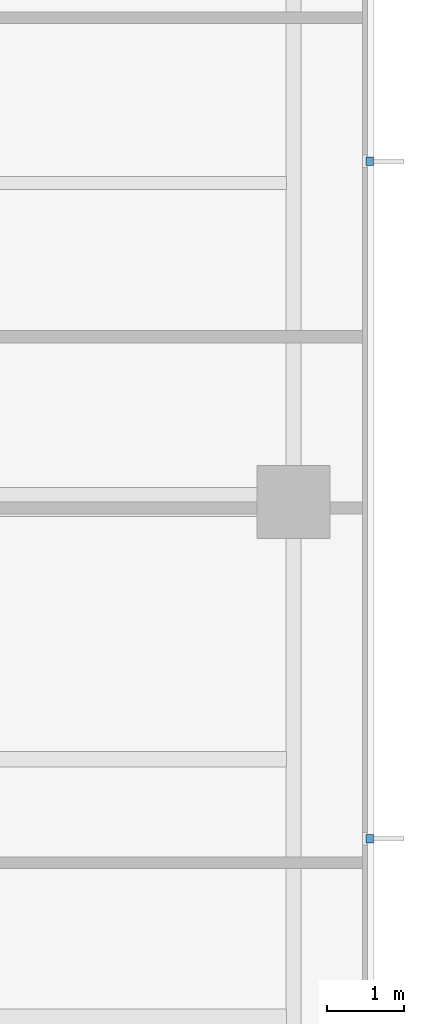
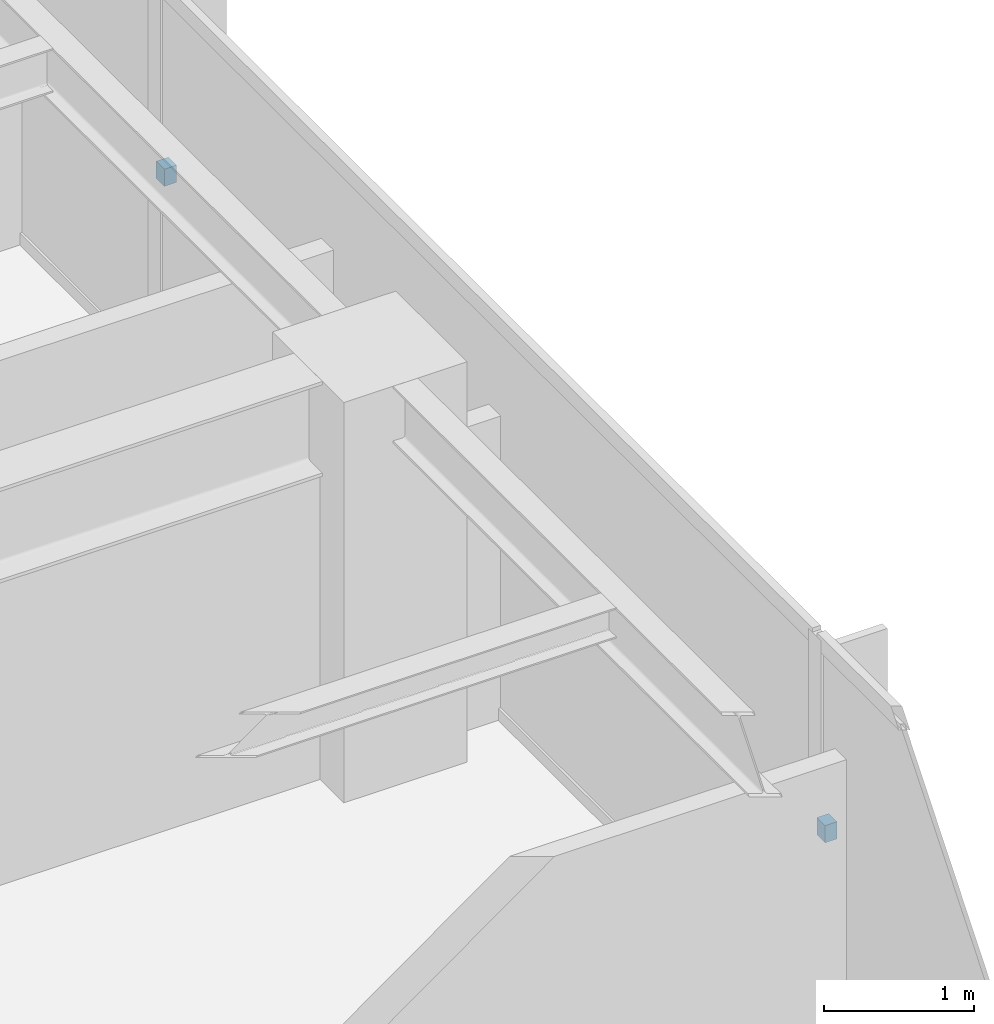
# One storey, part 12 of 15: 2 discrete accessories.
"""IFC4 building model written with IfcOpenShell, lengths in metres."""

from ifc_helpers import new_model, si_unit, direction, frame, origin, place, context, subcontext, project, spatial, polyline, outline, extrude, material, type_object, element, save


model = new_model("IFC4")

# Units and contexts
model_context = context("Model", 3, precision=1e-05, world=origin(), true_north=direction((0.0, 1.0)))
body_context = subcontext(model_context, "Body", "Model", "MODEL_VIEW")
ifc_project = project(units=[si_unit("LENGTHUNIT", "METRE"), si_unit("AREAUNIT", "SQUARE_METRE"), si_unit("VOLUMEUNIT", "CUBIC_METRE"), si_unit("PLANEANGLEUNIT", "RADIAN"), si_unit("MASSUNIT", "GRAM", prefix="KILO")], contexts=[model_context])

# Site, building, storey
site_placement = place(None, origin())
site = spatial("IfcSite", under=ifc_project, at=site_placement, CompositionType="ELEMENT")
building_placement = place(site_placement, origin())
building = spatial("IfcBuilding", under=site, at=building_placement, Name="Qalmaran Belvedere Hotel", CompositionType="ELEMENT")
storey_placement = place(building_placement, frame((0.0, 0.0, 214.39990234375)))
storey = spatial("IfcBuildingStorey", under=building, at=storey_placement, Name="L54", CompositionType="ELEMENT", Elevation=214.39990234375)

# Discrete accessories
ifc_material = material(Name="Stainless Steel 1.4401", Category="steel")
discrete_accessory_type = type_object("IfcDiscreteAccessoryType", Name="BRK-FIN-SS316", PredefinedType="BRACKET", material=ifc_material)
discrete_accessory_1_placement = place(storey_placement, frame((0.0, 0.0, 1.580078125)))
element("IfcDiscreteAccessory", 1, at=discrete_accessory_1_placement, inside=storey, type_object=discrete_accessory_type, Name="L54 Fin Bracket 1", PredefinedType="BRACKET", context=body_context, shape_type="SweptSolid", body=[
    extrude(outline(polyline([(53.4951171875, 16.061767578125), (53.58740234375, 16.061767578125), (53.58740234375, 16.171630859375), (53.4951171875, 16.171630859375), (53.4951171875, 16.061767578125)])), origin(), (0.0, 0.0, 1.0), 0.14013671875),
])
discrete_accessory_2_placement = place(storey_placement, frame((0.0, 0.0, 1.580078125)))
element("IfcDiscreteAccessory", 2, at=discrete_accessory_2_placement, inside=storey, type_object=discrete_accessory_type, Name="L54 Fin Bracket 2", PredefinedType="BRACKET", context=body_context, shape_type="SweptSolid", body=[
    extrude(outline(polyline([(53.4951171875, 24.87841796875), (53.58740234375, 24.87841796875), (53.58740234375, 24.98828125), (53.4951171875, 24.98828125), (53.4951171875, 24.87841796875)])), origin(), (0.0, 0.0, 1.0), 0.14013671875),
])

save(model, "model.ifc")
